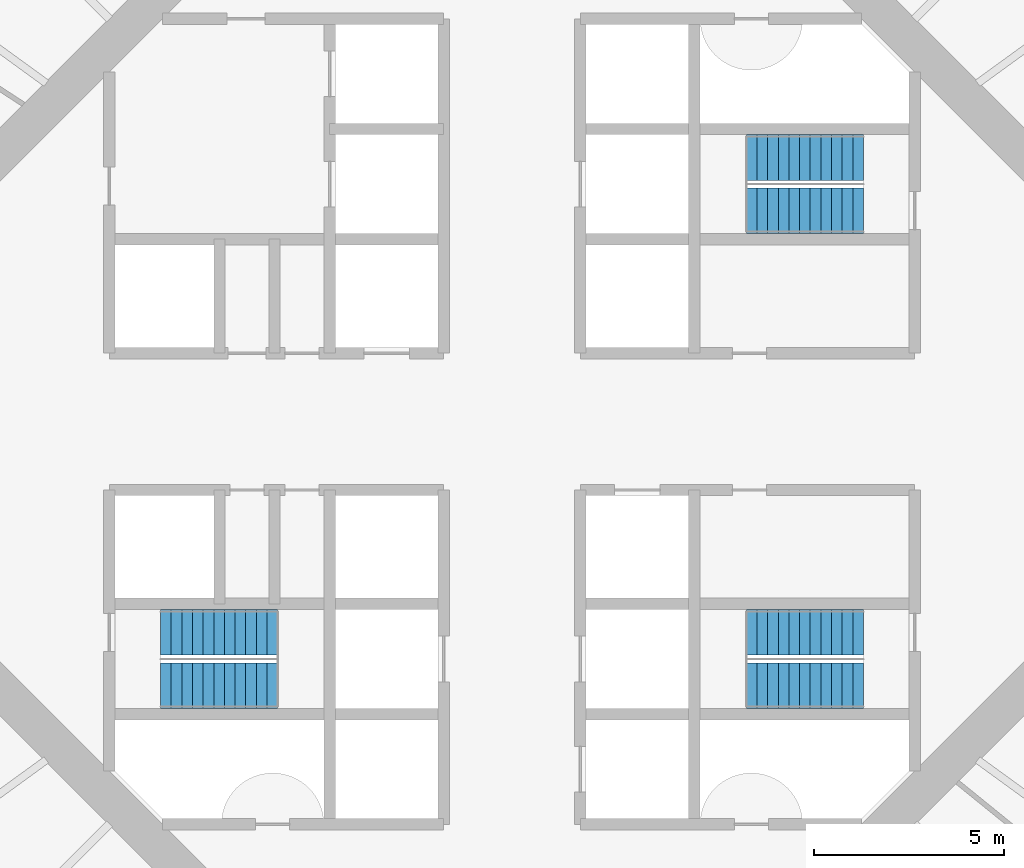
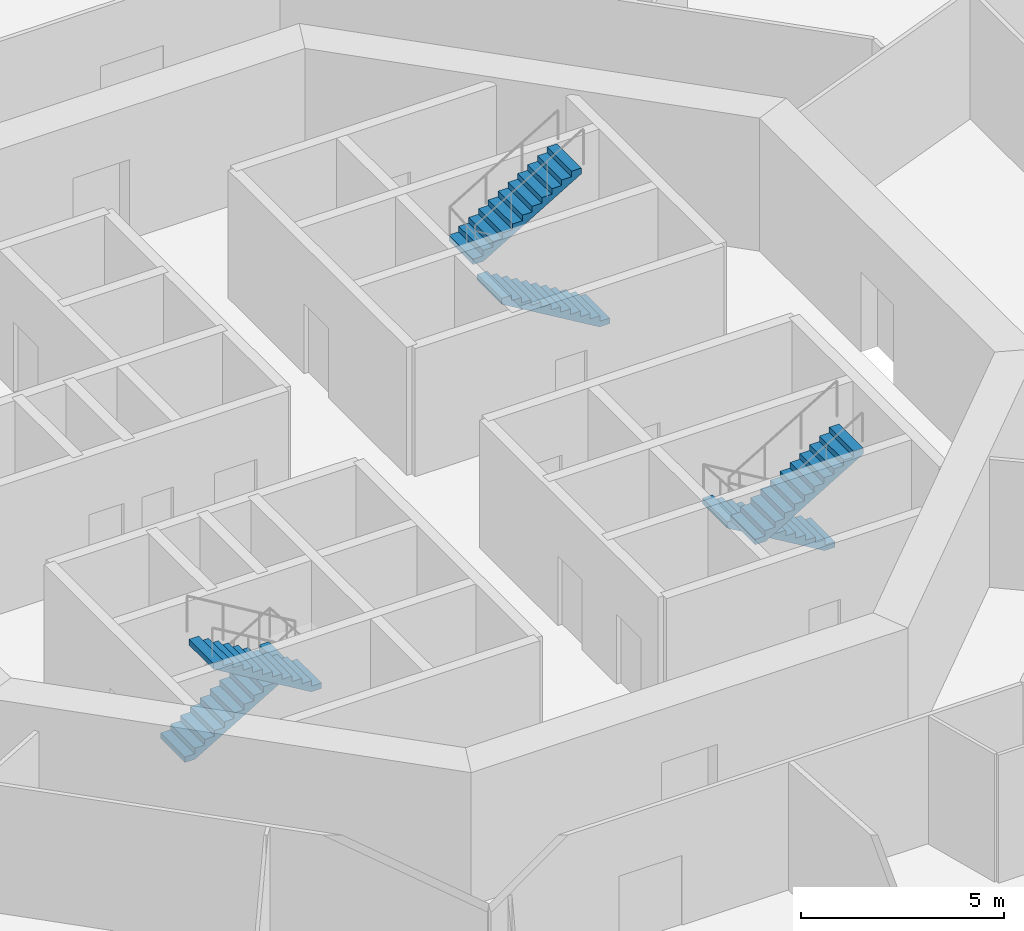
# One storey, part 6 of 13: 6 stair flights, 3 elements without a shape of their own.
"""IFC4 building model written with IfcOpenShell, lengths in metres."""

from ifc_helpers import new_model, si_unit, direction, frame, origin, place, context, subcontext, project, spatial, polyline, outline, extrude, material, type_object, element, aggregate, save


model = new_model("IFC4")

# Units and contexts
model_context = context("Model", 3, precision=1e-05, world=origin(), true_north=direction((0.0, 1.0)))
body_context = subcontext(model_context, "Body", "Model", "MODEL_VIEW")
ifc_project = project(units=[si_unit("LENGTHUNIT", "METRE"), si_unit("AREAUNIT", "SQUARE_METRE"), si_unit("VOLUMEUNIT", "CUBIC_METRE"), si_unit("PLANEANGLEUNIT", "RADIAN"), si_unit("MASSUNIT", "GRAM", prefix="KILO")], contexts=[model_context])

# Site, building, storey
site_placement = place(None, origin())
site = spatial("IfcSite", under=ifc_project, at=site_placement, CompositionType="ELEMENT")
building_placement = place(site_placement, origin())
building = spatial("IfcBuilding", under=site, at=building_placement, Name="Entoto Ring Tower", CompositionType="ELEMENT")
storey_placement = place(building_placement, frame((0.0, 0.0, 180.0)))
storey = spatial("IfcBuildingStorey", under=building, at=storey_placement, Name="L41", CompositionType="ELEMENT", Elevation=180.0)

# Stair, stair flights
ifc_material_1 = material(Name="Concrete C40/50", Category="concrete")
stair_type = type_object("IfcStairType", Name="Exit stair 1200 mm dog-leg reinforced concrete", PredefinedType="HALF_TURN_STAIR", material=ifc_material_1)
stair_1_placement = place(storey_placement, origin())
stair_1 = element("IfcStair", 1, at=stair_1_placement, inside=storey, type_object=stair_type, Name="Exit stair 1", PredefinedType="HALF_TURN_STAIR")
ifc_material_2 = material(Name="Concrete C40/50", Category="concrete")
stair_flight_type = type_object("IfcStairFlightType", Name="Stair flight 1200 mm reinforced concrete", PredefinedType="STRAIGHT", material=ifc_material_2)
stair_flight_1_placement = place(storey_placement, frame((99.25, 85.550048828125, 0.0), z_axis=(0.0, 0.0, 1.0), x_axis=(-1.0, 0.0, 0.0)))
stair_flight_1 = element("IfcStairFlight", 2, at=stair_flight_1_placement, type_object=stair_flight_type, Name="ST1 flight 1", NumberOfRisers=12, NumberOfTreads=11, PredefinedType="STRAIGHT", RiserHeight=0.166666667, TreadLength=0.28, context=body_context, shape_type="SweptSolid", body=[
    extrude(outline(polyline([(0.0, 0.0), (0.0, 0.166748046875), (0.280029296875, 0.166748046875), (0.280029296875, 0.333251953125), (0.56005859375, 0.333251953125), (0.56005859375, 0.5), (0.840087890625, 0.5), (0.840087890625, 0.666748046875), (1.1201171875, 0.666748046875), (1.1201171875, 0.833251953125), (1.39990234375, 0.833251953125), (1.39990234375, 1.0), (1.679931640625, 1.0), (1.679931640625, 1.166748046875), (1.9599609375, 1.166748046875), (1.9599609375, 1.333251953125), (2.239990234375, 1.333251953125), (2.239990234375, 1.5), (2.52001953125, 1.5), (2.52001953125, 1.666748046875), (2.800048828125, 1.666748046875), (2.800048828125, 1.833251953125), (3.080078125, 1.833251953125), (3.080078125, 2.0), (3.080078125, 1.658935546875), (0.29296875, 0.0), (0.0, 0.0)])), frame((0.0, 0.60009765625, 0.0), z_axis=(0.0, -1.0, 0.0), x_axis=(1.0, 0.0, 0.0)), (0.0, 0.0, 1.0), 1.199951171875),
])
stair_flight_2_placement = place(storey_placement, frame((96.169921875, 86.949951171875, 2.0), z_axis=(0.0, 0.0, 1.0), x_axis=(1.0, 0.0, 0.0)))
stair_flight_2 = element("IfcStairFlight", 3, at=stair_flight_2_placement, type_object=stair_flight_type, Name="ST1 flight 2", NumberOfRisers=12, NumberOfTreads=11, PredefinedType="STRAIGHT", RiserHeight=0.166666667, TreadLength=0.28, context=body_context, shape_type="SweptSolid", body=[
    extrude(outline(polyline([(0.0, 0.0), (0.0, 0.166748046875), (0.280029296875, 0.166748046875), (0.280029296875, 0.333251953125), (0.56005859375, 0.333251953125), (0.56005859375, 0.5), (0.840087890625, 0.5), (0.840087890625, 0.666748046875), (1.1201171875, 0.666748046875), (1.1201171875, 0.833251953125), (1.39990234375, 0.833251953125), (1.39990234375, 1.0), (1.679931640625, 1.0), (1.679931640625, 1.166748046875), (1.9599609375, 1.166748046875), (1.9599609375, 1.333251953125), (2.239990234375, 1.333251953125), (2.239990234375, 1.5), (2.52001953125, 1.5), (2.52001953125, 1.666748046875), (2.800048828125, 1.666748046875), (2.800048828125, 1.833251953125), (3.080078125, 1.833251953125), (3.080078125, 2.0), (3.080078125, 1.658935546875), (0.29296875, 0.0), (0.0, 0.0)])), frame((0.0, 0.60009765625, 0.0), z_axis=(0.0, -1.0, 0.0), x_axis=(1.0, 0.0, 0.0)), (0.0, 0.0, 1.0), 1.199951171875),
])
aggregate(stair_1, [stair_flight_1, stair_flight_2])

stair_2_placement = place(storey_placement, origin())
stair_2 = element("IfcStair", 4, at=stair_2_placement, inside=storey, type_object=stair_type, Name="Exit stair 2", PredefinedType="HALF_TURN_STAIR")
stair_flight_3_placement = place(storey_placement, frame((80.75, 74.449951171875, 0.0), z_axis=(0.0, 0.0, 1.0), x_axis=(1.0, 0.0, 0.0)))
stair_flight_3 = element("IfcStairFlight", 5, at=stair_flight_3_placement, type_object=stair_flight_type, Name="ST2 flight 1", NumberOfRisers=12, NumberOfTreads=11, PredefinedType="STRAIGHT", RiserHeight=0.166666667, TreadLength=0.28, context=body_context, shape_type="SweptSolid", body=[
    extrude(outline(polyline([(0.0, 0.0), (0.0, 0.166748046875), (0.280029296875, 0.166748046875), (0.280029296875, 0.333251953125), (0.56005859375, 0.333251953125), (0.56005859375, 0.5), (0.840087890625, 0.5), (0.840087890625, 0.666748046875), (1.1201171875, 0.666748046875), (1.1201171875, 0.833251953125), (1.39990234375, 0.833251953125), (1.39990234375, 1.0), (1.679931640625, 1.0), (1.679931640625, 1.166748046875), (1.9599609375, 1.166748046875), (1.9599609375, 1.333251953125), (2.239990234375, 1.333251953125), (2.239990234375, 1.5), (2.52001953125, 1.5), (2.52001953125, 1.666748046875), (2.800048828125, 1.666748046875), (2.800048828125, 1.833251953125), (3.080078125, 1.833251953125), (3.080078125, 2.0), (3.080078125, 1.658935546875), (0.29296875, 0.0), (0.0, 0.0)])), frame((0.0, 0.60009765625, 0.0), z_axis=(0.0, -1.0, 0.0), x_axis=(1.0, 0.0, 0.0)), (0.0, 0.0, 1.0), 1.199951171875),
])
stair_flight_4_placement = place(storey_placement, frame((83.830078125, 73.050048828125, 2.0), z_axis=(0.0, 0.0, 1.0), x_axis=(-1.0, 0.0, 0.0)))
stair_flight_4 = element("IfcStairFlight", 6, at=stair_flight_4_placement, type_object=stair_flight_type, Name="ST2 flight 2", NumberOfRisers=12, NumberOfTreads=11, PredefinedType="STRAIGHT", RiserHeight=0.166666667, TreadLength=0.28, context=body_context, shape_type="SweptSolid", body=[
    extrude(outline(polyline([(0.0, 0.0), (0.0, 0.166748046875), (0.280029296875, 0.166748046875), (0.280029296875, 0.333251953125), (0.56005859375, 0.333251953125), (0.56005859375, 0.5), (0.840087890625, 0.5), (0.840087890625, 0.666748046875), (1.1201171875, 0.666748046875), (1.1201171875, 0.833251953125), (1.39990234375, 0.833251953125), (1.39990234375, 1.0), (1.679931640625, 1.0), (1.679931640625, 1.166748046875), (1.9599609375, 1.166748046875), (1.9599609375, 1.333251953125), (2.239990234375, 1.333251953125), (2.239990234375, 1.5), (2.52001953125, 1.5), (2.52001953125, 1.666748046875), (2.800048828125, 1.666748046875), (2.800048828125, 1.833251953125), (3.080078125, 1.833251953125), (3.080078125, 2.0), (3.080078125, 1.658935546875), (0.29296875, 0.0), (0.0, 0.0)])), frame((0.0, 0.60009765625, 0.0), z_axis=(0.0, -1.0, 0.0), x_axis=(1.0, 0.0, 0.0)), (0.0, 0.0, 1.0), 1.199951171875),
])
aggregate(stair_2, [stair_flight_3, stair_flight_4])

stair_3_placement = place(storey_placement, origin())
stair_3 = element("IfcStair", 7, at=stair_3_placement, inside=storey, type_object=stair_type, Name="Exit stair 3", PredefinedType="HALF_TURN_STAIR")
stair_flight_5_placement = place(storey_placement, frame((99.25, 74.449951171875, 0.0), z_axis=(0.0, 0.0, 1.0), x_axis=(-1.0, 0.0, 0.0)))
stair_flight_5 = element("IfcStairFlight", 8, at=stair_flight_5_placement, type_object=stair_flight_type, Name="ST3 flight 1", NumberOfRisers=12, NumberOfTreads=11, PredefinedType="STRAIGHT", RiserHeight=0.166666667, TreadLength=0.28, context=body_context, shape_type="SweptSolid", body=[
    extrude(outline(polyline([(0.0, 0.0), (0.0, 0.166748046875), (0.280029296875, 0.166748046875), (0.280029296875, 0.333251953125), (0.56005859375, 0.333251953125), (0.56005859375, 0.5), (0.840087890625, 0.5), (0.840087890625, 0.666748046875), (1.1201171875, 0.666748046875), (1.1201171875, 0.833251953125), (1.39990234375, 0.833251953125), (1.39990234375, 1.0), (1.679931640625, 1.0), (1.679931640625, 1.166748046875), (1.9599609375, 1.166748046875), (1.9599609375, 1.333251953125), (2.239990234375, 1.333251953125), (2.239990234375, 1.5), (2.52001953125, 1.5), (2.52001953125, 1.666748046875), (2.800048828125, 1.666748046875), (2.800048828125, 1.833251953125), (3.080078125, 1.833251953125), (3.080078125, 2.0), (3.080078125, 1.658935546875), (0.29296875, 0.0), (0.0, 0.0)])), frame((0.0, 0.60009765625, 0.0), z_axis=(0.0, -1.0, 0.0), x_axis=(1.0, 0.0, 0.0)), (0.0, 0.0, 1.0), 1.199951171875),
])
stair_flight_6_placement = place(storey_placement, frame((96.169921875, 73.050048828125, 2.0), z_axis=(0.0, 0.0, 1.0), x_axis=(1.0, 0.0, 0.0)))
stair_flight_6 = element("IfcStairFlight", 9, at=stair_flight_6_placement, type_object=stair_flight_type, Name="ST3 flight 2", NumberOfRisers=12, NumberOfTreads=11, PredefinedType="STRAIGHT", RiserHeight=0.166666667, TreadLength=0.28, context=body_context, shape_type="SweptSolid", body=[
    extrude(outline(polyline([(0.0, 0.0), (0.0, 0.166748046875), (0.280029296875, 0.166748046875), (0.280029296875, 0.333251953125), (0.56005859375, 0.333251953125), (0.56005859375, 0.5), (0.840087890625, 0.5), (0.840087890625, 0.666748046875), (1.1201171875, 0.666748046875), (1.1201171875, 0.833251953125), (1.39990234375, 0.833251953125), (1.39990234375, 1.0), (1.679931640625, 1.0), (1.679931640625, 1.166748046875), (1.9599609375, 1.166748046875), (1.9599609375, 1.333251953125), (2.239990234375, 1.333251953125), (2.239990234375, 1.5), (2.52001953125, 1.5), (2.52001953125, 1.666748046875), (2.800048828125, 1.666748046875), (2.800048828125, 1.833251953125), (3.080078125, 1.833251953125), (3.080078125, 2.0), (3.080078125, 1.658935546875), (0.29296875, 0.0), (0.0, 0.0)])), frame((0.0, 0.60009765625, 0.0), z_axis=(0.0, -1.0, 0.0), x_axis=(1.0, 0.0, 0.0)), (0.0, 0.0, 1.0), 1.199951171875),
])
aggregate(stair_3, [stair_flight_5, stair_flight_6])

save(model, "model.ifc")
